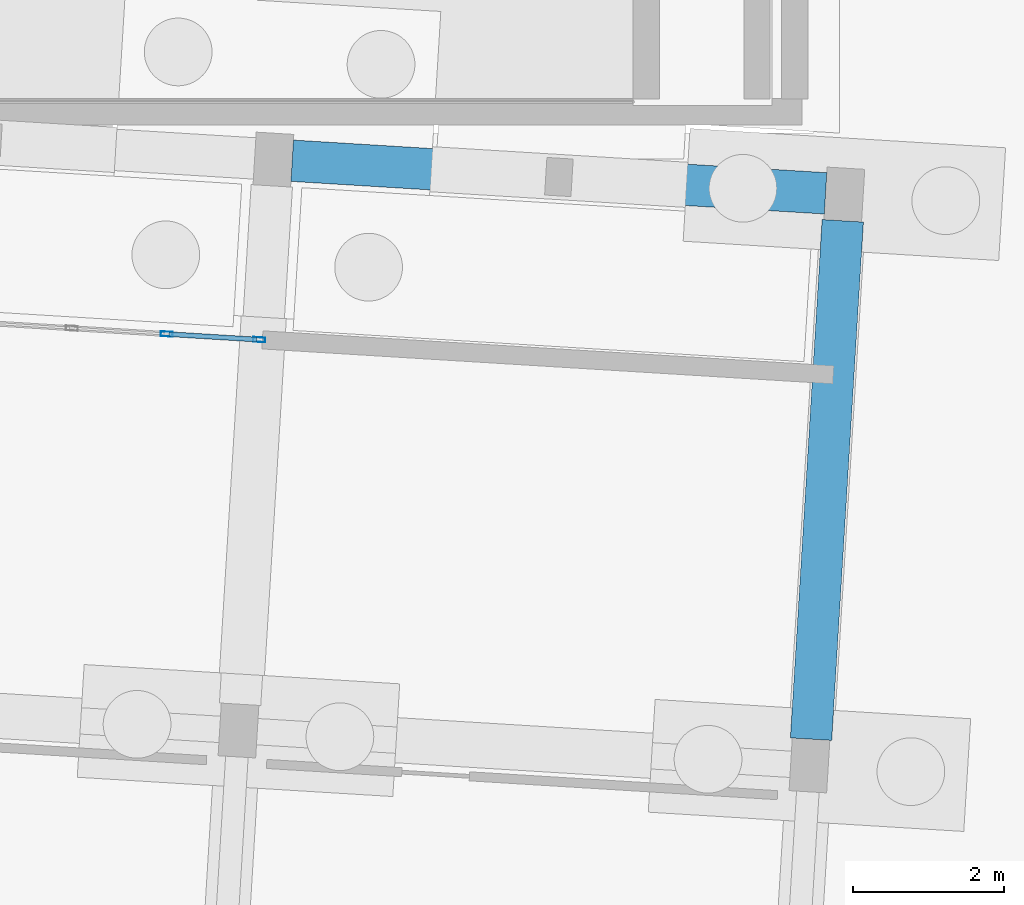
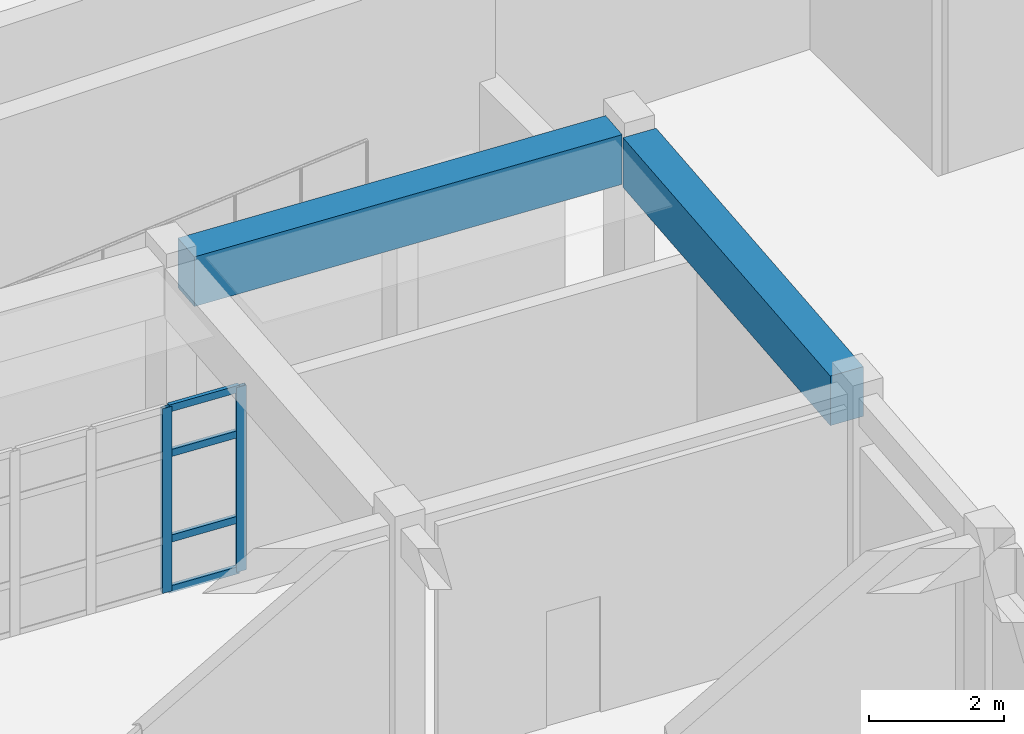
# One storey, part 56 of 154: 6 members, 2 beams, 1 element without a shape of its own.
"""IFC4 building model written with IfcOpenShell, lengths in metres."""

from ifc_helpers import new_model, si_unit, direction, frame, origin, origin_2d, place, context, subcontext, project, spatial, rectangle, hollow_rectangle, extrude, material, material_profile, profile_set, type_object, element, aggregate, save


model = new_model("IFC4")

# Units and contexts
model_context = context("Model", 3, precision=1e-05, world=origin(), true_north=direction((0.0, 1.0)))
body_context = subcontext(model_context, "Body", "Model", "MODEL_VIEW")
ifc_project = project(units=[si_unit("LENGTHUNIT", "METRE"), si_unit("AREAUNIT", "SQUARE_METRE"), si_unit("VOLUMEUNIT", "CUBIC_METRE"), si_unit("PLANEANGLEUNIT", "RADIAN"), si_unit("MASSUNIT", "GRAM", prefix="KILO")], contexts=[model_context])

# Site, building, storey
site_placement = place(None, origin())
site = spatial("IfcSite", under=ifc_project, at=site_placement, CompositionType="ELEMENT")
building_placement = place(site_placement, origin())
building = spatial("IfcBuilding", under=site, at=building_placement, Name="Kestramere Prow Commons", CompositionType="ELEMENT")
storey_placement = place(building_placement, origin())
storey = spatial("IfcBuildingStorey", under=building, at=storey_placement, Name="L00", CompositionType="ELEMENT", Elevation=0.0)

# Curtain wall, members
ifc_material_1 = material(Name="Anodised Aluminium and Low-E Glass", Category="aluminium")
curtain_wall_type = type_object("IfcCurtainWallType", Name="CW-07 Glazed Curtain Wall 7580x3350", PredefinedType="USERDEFINED", material=ifc_material_1)
curtain_wall_placement = place(storey_placement, origin())
curtain_wall = element("IfcCurtainWall", 1, at=curtain_wall_placement, inside=storey, type_object=curtain_wall_type, Name="Block C L00 North Courtyard Storefront 5", ObjectType="GLAZED CURTAIN WALL", PredefinedType="USERDEFINED")
ifc_material_2 = material(Name="Anodised Aluminium 6063-T6", Category="aluminium")
ifc_material_profile_1 = material_profile(ifc_material_2, hollow_rectangle(XDim=0.06494140625, YDim=0.159912109375, WallThickness=0.00390625, at=origin_2d()), Name="ALU-MUL 65x160")
ifc_profile_set_1 = profile_set([ifc_material_profile_1], Name="Anodised Aluminium 6063-T6")
member_type_1 = type_object("IfcMemberType", Name="CW-MUL-65x160", PredefinedType="MULLION", material=ifc_profile_set_1)
member_1_placement = place(storey_placement, frame((97.208251953125, 61.42578125, 0.0), z_axis=(0.0, 0.0, 1.0), x_axis=(0.061048415517, 0.998134806007, 0.0)))
member_1 = element("IfcMember", 2, at=member_1_placement, type_object=member_type_1, Name="CW-07 mullion 6", PredefinedType="MULLION", context=body_context, shape_type="SweptSolid", body=[
    extrude(hollow_rectangle(XDim=0.06494140625, YDim=0.159912109375, WallThickness=0.00390625, at=origin_2d()), origin(), (0.0, 0.0, 1.0), 3.35009765625),
])
member_2_placement = place(storey_placement, frame((98.436767578125, 61.3505859375, 0.0), z_axis=(0.0, 0.0, 1.0), x_axis=(0.061048415517, 0.998134806007, 0.0)))
member_2 = element("IfcMember", 3, at=member_2_placement, type_object=member_type_1, Name="CW-07 mullion 7", PredefinedType="MULLION", context=body_context, shape_type="SweptSolid", body=[
    extrude(hollow_rectangle(XDim=0.06494140625, YDim=0.159912109375, WallThickness=0.00390625, at=origin_2d()), origin(), (0.0, 0.0, 1.0), 3.35009765625),
])
ifc_material_profile_2 = material_profile(ifc_material_2, hollow_rectangle(XDim=0.06494140625, YDim=0.1298828125, WallThickness=0.00390625, at=origin_2d()), Name="ALU-TRN 65x130")
ifc_profile_set_2 = profile_set([ifc_material_profile_2], Name="Anodised Aluminium 6063-T6")
member_type_2 = type_object("IfcMemberType", Name="CW-TRN-65x130", PredefinedType="USERDEFINED", material=ifc_profile_set_2)
member_3_placement = place(storey_placement, frame((97.24072265625, 61.423828125, 0.032470703125), z_axis=(0.998128425684, -0.061152643789, 0.0), x_axis=(0.061152643789, 0.998128425684, 0.0)))
member_3 = element("IfcMember", 4, at=member_3_placement, type_object=member_type_2, Name="CW-07 transom 6.1", ObjectType="TRANSOM", PredefinedType="USERDEFINED", context=body_context, shape_type="SweptSolid", body=[
    extrude(hollow_rectangle(XDim=0.06494140625, YDim=0.1298828125, WallThickness=0.00390625, at=origin_2d()), origin(), (0.0, 0.0, 1.0), 1.165771484375),
])
member_4_placement = place(storey_placement, frame((97.24072265625, 61.423828125, 0.949951171875), z_axis=(0.998128425684, -0.061152643789, 0.0), x_axis=(0.061152643789, 0.998128425684, 0.0)))
member_4 = element("IfcMember", 5, at=member_4_placement, type_object=member_type_2, Name="CW-07 transom 6.2", ObjectType="TRANSOM", PredefinedType="USERDEFINED", context=body_context, shape_type="SweptSolid", body=[
    extrude(hollow_rectangle(XDim=0.06494140625, YDim=0.1298828125, WallThickness=0.00390625, at=origin_2d()), origin(), (0.0, 0.0, 1.0), 1.165771484375),
])
member_5_placement = place(storey_placement, frame((97.24072265625, 61.423828125, 2.5), z_axis=(0.998128425684, -0.061152643789, 0.0), x_axis=(0.061152643789, 0.998128425684, 0.0)))
member_5 = element("IfcMember", 6, at=member_5_placement, type_object=member_type_2, Name="CW-07 transom 6.3", ObjectType="TRANSOM", PredefinedType="USERDEFINED", context=body_context, shape_type="SweptSolid", body=[
    extrude(hollow_rectangle(XDim=0.06494140625, YDim=0.1298828125, WallThickness=0.00390625, at=origin_2d()), origin(), (0.0, 0.0, 1.0), 1.165771484375),
])
member_6_placement = place(storey_placement, frame((97.24072265625, 61.423828125, 3.3173828125), z_axis=(0.998128425684, -0.061152643789, 0.0), x_axis=(0.061152643789, 0.998128425684, 0.0)))
member_6 = element("IfcMember", 7, at=member_6_placement, type_object=member_type_2, Name="CW-07 transom 6.4", ObjectType="TRANSOM", PredefinedType="USERDEFINED", context=body_context, shape_type="SweptSolid", body=[
    extrude(hollow_rectangle(XDim=0.06494140625, YDim=0.1298828125, WallThickness=0.00390625, at=origin_2d()), origin(), (0.0, 0.0, 1.0), 1.165771484375),
])
aggregate(curtain_wall, [member_1, member_2, member_3, member_4, member_5, member_6])

# Beams
ifc_material_3 = material(Name="Precast concrete C40/50", Category="concrete")
ifc_material_profile_3 = material_profile(ifc_material_3, rectangle(XDim=0.550048828125, YDim=0.89990234375, at=origin_2d()), Name="PC-TG 550x900")
ifc_profile_set_3 = profile_set([ifc_material_profile_3], Name="Precast concrete C40/50")
beam_type = type_object("IfcBeamType", Name="TG-01 PC-TG 550x900 (EX)", PredefinedType="BEAM", material=ifc_profile_set_3)
beam_1_placement = place(storey_placement, frame((98.875244140625, 63.728271484375, 3.800048828125), z_axis=(0.998135568114, -0.061035953884, 0.0), x_axis=(0.061035953884, 0.998135568114, 0.0)))
element("IfcBeam", 8, at=beam_1_placement, inside=storey, type_object=beam_type, Name="Block C L00 Longitudinal Beam 4-6", PredefinedType="BEAM", context=body_context, shape_type="SweptSolid", body=[
    extrude(rectangle(XDim=0.550048828125, YDim=0.89990234375, at=origin_2d()), origin(), (0.0, 0.0, 1.0), 7.099853515625),
])
beam_2_placement = place(storey_placement, frame((105.768798828125, 56.043212890625, 3.800048828125), z_axis=(0.061071934202, 0.998133367268, 0.0), x_axis=(-0.998133367268, 0.061071934202, 0.0)))
element("IfcBeam", 9, at=beam_2_placement, inside=storey, type_object=beam_type, Name="Block C L00 N Colonnade Transfer Girder 7", PredefinedType="BEAM", context=body_context, shape_type="SweptSolid", body=[
    extrude(rectangle(XDim=0.550048828125, YDim=0.89990234375, at=origin_2d()), origin(), (0.0, 0.0, 1.0), 6.89990234375),
])

save(model, "model.ifc")
